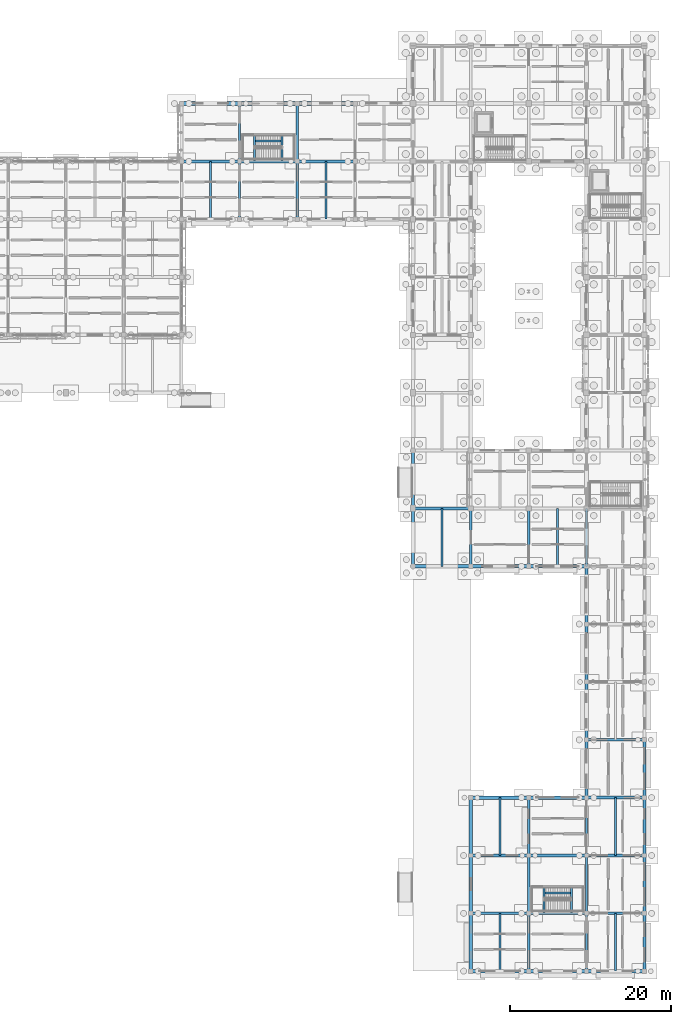
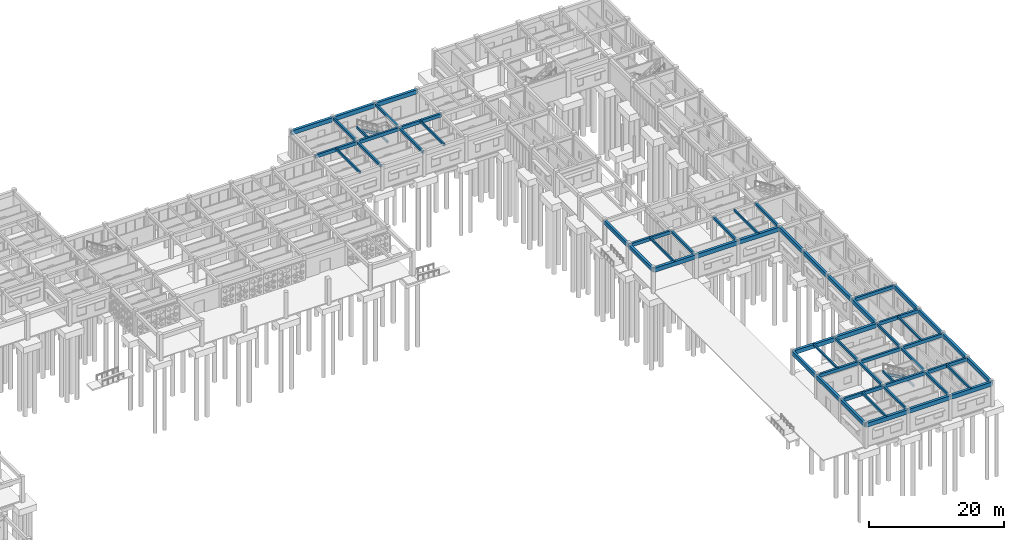
# One storey, part 36 of 111: 63 beams.
"""IFC4 building model written with IfcOpenShell, lengths in metres."""

from ifc_helpers import new_model, si_unit, direction, frame, origin, origin_2d, place, context, subcontext, project, spatial, rectangle, extrude, material, material_profile, profile_set, type_object, element, save


model = new_model("IFC4")

# Units and contexts
model_context = context("Model", 3, precision=1e-05, world=origin(), true_north=direction((0.0, 1.0)))
body_context = subcontext(model_context, "Body", "Model", "MODEL_VIEW")
ifc_project = project(units=[si_unit("LENGTHUNIT", "METRE"), si_unit("AREAUNIT", "SQUARE_METRE"), si_unit("VOLUMEUNIT", "CUBIC_METRE"), si_unit("PLANEANGLEUNIT", "RADIAN"), si_unit("MASSUNIT", "GRAM", prefix="KILO")], contexts=[model_context])

# Site, building, storey
site_placement = place(None, origin())
site = spatial("IfcSite", under=ifc_project, at=site_placement, CompositionType="ELEMENT")
building_placement = place(site_placement, origin())
building = spatial("IfcBuilding", under=site, at=building_placement, Name="Aldebral Square Health Centre", CompositionType="ELEMENT")
storey_placement = place(building_placement, origin())
storey = spatial("IfcBuildingStorey", under=building, at=storey_placement, Name="L00", CompositionType="ELEMENT", Elevation=0.0)

# Beams
ifc_material = material(Name="Concrete C40/50", Category="concrete")
ifc_material_profile_1 = material_profile(ifc_material, rectangle(XDim=0.35009765625, YDim=0.60009765625, at=origin_2d()), Name="RC 350x600")
ifc_profile_set_1 = profile_set([ifc_material_profile_1], Name="Concrete C40/50")
beam_type_1 = type_object("IfcBeamType", Name="BM-B2", PredefinedType="BEAM", material=ifc_profile_set_1)
for number, where, z_axis, x_axis, name in (
    (1, (108.0, 100.800048828125, 3.919921875), (1.0, 0.0, 0.0), (0.0, 1.0, 0.0), "L00 X-beam 16-17/G15"),
    (2, (115.199951171875, 100.800048828125, 3.919921875), (1.0, 0.0, 0.0), (0.0, 1.0, 0.0), "L00 X-beam 17-18/G15"),
):
    element("IfcBeam", number, at=place(storey_placement, frame(where, z_axis=z_axis, x_axis=x_axis)), inside=storey, type_object=beam_type_1, Name=name, PredefinedType="BEAM", context=body_context, shape_type="SweptSolid", body=[
        extrude(rectangle(XDim=0.35009765625, YDim=0.60009765625, at=origin_2d()), origin(), (0.0, 0.0, 1.0), 7.199951171875),
    ])
beam_1_placement = place(storey_placement, frame((122.39990234375, 100.800048828125, 3.919921875), z_axis=(1.0, 0.0, 0.0), x_axis=(0.0, 1.0, 0.0)))
element("IfcBeam", 3, at=beam_1_placement, inside=storey, type_object=beam_type_1, Name="L00 X-beam 18-19/G15", PredefinedType="BEAM", context=body_context, shape_type="SweptSolid", body=[
    extrude(rectangle(XDim=0.35009765625, YDim=0.60009765625, at=origin_2d()), origin(), (0.0, 0.0, 1.0), 7.2001953125),
])
for number, where, z_axis, x_axis, name in (
    (4, (136.800048828125, 57.60009765625, 3.919921875), (1.0, 0.0, 0.0), (0.0, 1.0, 0.0), "L00 X-beam 20-21/G9"),
    (5, (144.0, 7.199951171875, 3.919921875), (1.0, 0.0, 0.0), (0.0, 1.0, 0.0), "L00 X-beam 21-22/G2"),
    (6, (144.0, 14.39990234375, 3.919921875), (1.0, 0.0, 0.0), (0.0, 1.0, 0.0), "L00 X-beam 21-22/G3"),
    (7, (151.199951171875, 7.199951171875, 3.919921875), (1.0, 0.0, 0.0), (0.0, 1.0, 0.0), "L00 X-beam 22-23/G2"),
    (8, (151.199951171875, 14.39990234375, 3.919921875), (1.0, 0.0, 0.0), (0.0, 1.0, 0.0), "L00 X-beam 22-23/G3"),
):
    element("IfcBeam", number, at=place(storey_placement, frame(where, z_axis=z_axis, x_axis=x_axis)), inside=storey, type_object=beam_type_1, Name=name, PredefinedType="BEAM", context=body_context, shape_type="SweptSolid", body=[
        extrude(rectangle(XDim=0.35009765625, YDim=0.60009765625, at=origin_2d()), origin(), (0.0, 0.0, 1.0), 7.199951171875),
    ])
for number, where, z_axis, x_axis, name in (
    (9, (158.39990234375, 7.199951171875, 3.919921875), (1.0, 0.0, 0.0), (0.0, 1.0, 0.0), "L00 X-beam 23-24/G2"),
    (10, (158.39990234375, 14.39990234375, 3.919921875), (1.0, 0.0, 0.0), (0.0, 1.0, 0.0), "L00 X-beam 23-24/G3"),
    (11, (158.39990234375, 21.60009765625, 3.919921875), (1.0, 0.0, 0.0), (0.0, 1.0, 0.0), "L00 X-beam 23-24/G4"),
    (12, (158.39990234375, 28.800048828125, 3.919921875), (1.0, 0.0, 0.0), (0.0, 1.0, 0.0), "L00 X-beam 23-24/G5"),
):
    element("IfcBeam", number, at=place(storey_placement, frame(where, z_axis=z_axis, x_axis=x_axis)), inside=storey, type_object=beam_type_1, Name=name, PredefinedType="BEAM", context=body_context, shape_type="SweptSolid", body=[
        extrude(rectangle(XDim=0.35009765625, YDim=0.60009765625, at=origin_2d()), origin(), (0.0, 0.0, 1.0), 7.2001953125),
    ])
ifc_material_profile_2 = material_profile(ifc_material, rectangle(XDim=0.300048828125, YDim=0.449951171875, at=origin_2d()), Name="RC 300x450")
ifc_profile_set_2 = profile_set([ifc_material_profile_2], Name="Concrete C40/50")
beam_type_2 = type_object("IfcBeamType", Name="BM-B5", PredefinedType="BEAM", material=ifc_profile_set_2)
for number, where, z_axis, x_axis, name in (
    (13, (115.199951171875, 93.60009765625, 3.9951171875), (0.0, 1.0, 0.0), (-1.0, 0.0, 0.0), "L00 Y-beam G17/14-15"),
    (14, (115.199951171875, 100.800048828125, 3.9951171875), (0.0, 1.0, 0.0), (-1.0, 0.0, 0.0), "L00 Y-beam G17/15-16"),
    (15, (122.39990234375, 93.60009765625, 3.9951171875), (0.0, 1.0, 0.0), (-1.0, 0.0, 0.0), "L00 Y-beam G18/14-15"),
    (16, (122.39990234375, 100.800048828125, 3.9951171875), (0.0, 1.0, 0.0), (-1.0, 0.0, 0.0), "L00 Y-beam G18/15-16"),
):
    element("IfcBeam", number, at=place(storey_placement, frame(where, z_axis=z_axis, x_axis=x_axis)), inside=storey, type_object=beam_type_2, Name=name, PredefinedType="BEAM", context=body_context, shape_type="SweptSolid", body=[
        extrude(rectangle(XDim=0.300048828125, YDim=0.449951171875, at=origin_2d()), origin(), (0.0, 0.0, 1.0), 7.199951171875),
    ])
beam_2_placement = place(storey_placement, frame((144.0, 50.39990234375, 3.9951171875), z_axis=(0.0, 1.0, 0.0), x_axis=(-1.0, 0.0, 0.0)))
element("IfcBeam", 17, at=beam_2_placement, inside=storey, type_object=beam_type_2, Name="L00 Y-beam G21/8-9", PredefinedType="BEAM", context=body_context, shape_type="SweptSolid", body=[
    extrude(rectangle(XDim=0.300048828125, YDim=0.449951171875, at=origin_2d()), origin(), (0.0, 0.0, 1.0), 7.2001953125),
])
for number, where, z_axis, x_axis, name in (
    (18, (151.199951171875, 0.0, 3.9951171875), (0.0, 1.0, 0.0), (-1.0, 0.0, 0.0), "L00 Y-beam G22/1-2"),
    (19, (151.199951171875, 7.199951171875, 3.9951171875), (0.0, 1.0, 0.0), (-1.0, 0.0, 0.0), "L00 Y-beam G22/2-3"),
):
    element("IfcBeam", number, at=place(storey_placement, frame(where, z_axis=z_axis, x_axis=x_axis)), inside=storey, type_object=beam_type_2, Name=name, PredefinedType="BEAM", context=body_context, shape_type="SweptSolid", body=[
        extrude(rectangle(XDim=0.300048828125, YDim=0.449951171875, at=origin_2d()), origin(), (0.0, 0.0, 1.0), 7.199951171875),
    ])
for number, where, z_axis, x_axis, name in (
    (20, (151.199951171875, 14.39990234375, 3.9951171875), (0.0, 1.0, 0.0), (-1.0, 0.0, 0.0), "L00 Y-beam G22/3-4"),
    (21, (151.199951171875, 50.39990234375, 3.9951171875), (0.0, 1.0, 0.0), (-1.0, 0.0, 0.0), "L00 Y-beam G22/8-9"),
):
    element("IfcBeam", number, at=place(storey_placement, frame(where, z_axis=z_axis, x_axis=x_axis)), inside=storey, type_object=beam_type_2, Name=name, PredefinedType="BEAM", context=body_context, shape_type="SweptSolid", body=[
        extrude(rectangle(XDim=0.300048828125, YDim=0.449951171875, at=origin_2d()), origin(), (0.0, 0.0, 1.0), 7.2001953125),
    ])
for number, where, z_axis, x_axis, name in (
    (22, (158.39990234375, 0.0, 3.9951171875), (0.0, 1.0, 0.0), (-1.0, 0.0, 0.0), "L00 Y-beam G23/1-2"),
    (23, (158.39990234375, 7.199951171875, 3.9951171875), (0.0, 1.0, 0.0), (-1.0, 0.0, 0.0), "L00 Y-beam G23/2-3"),
):
    element("IfcBeam", number, at=place(storey_placement, frame(where, z_axis=z_axis, x_axis=x_axis)), inside=storey, type_object=beam_type_2, Name=name, PredefinedType="BEAM", context=body_context, shape_type="SweptSolid", body=[
        extrude(rectangle(XDim=0.300048828125, YDim=0.449951171875, at=origin_2d()), origin(), (0.0, 0.0, 1.0), 7.199951171875),
    ])
for number, where, z_axis, x_axis, name in (
    (24, (158.39990234375, 14.39990234375, 3.9951171875), (0.0, 1.0, 0.0), (-1.0, 0.0, 0.0), "L00 Y-beam G23/3-4"),
    (25, (158.39990234375, 50.39990234375, 3.9951171875), (0.0, 1.0, 0.0), (-1.0, 0.0, 0.0), "L00 Y-beam G23/8-9"),
):
    element("IfcBeam", number, at=place(storey_placement, frame(where, z_axis=z_axis, x_axis=x_axis)), inside=storey, type_object=beam_type_2, Name=name, PredefinedType="BEAM", context=body_context, shape_type="SweptSolid", body=[
        extrude(rectangle(XDim=0.300048828125, YDim=0.449951171875, at=origin_2d()), origin(), (0.0, 0.0, 1.0), 7.2001953125),
    ])
ifc_material_profile_3 = material_profile(ifc_material, rectangle(XDim=0.25, YDim=0.39990234375, at=origin_2d()), Name="RC 250x400")
ifc_profile_set_3 = profile_set([ifc_material_profile_3], Name="Concrete C40/50")
beam_type_3 = type_object("IfcBeamType", Name="BM-B6", PredefinedType="JOIST", material=ifc_profile_set_3)
for number, where, z_axis, x_axis, name in (
    (26, (111.60009765625, 93.60009765625, 4.02001953125), (0.0, 1.0, 0.0), (-1.0, 0.0, 0.0), "L00 secondary rib 16.14"),
    (27, (126.0, 93.60009765625, 4.02001953125), (0.0, 1.0, 0.0), (-1.0, 0.0, 0.0), "L00 secondary rib 18.14"),
):
    element("IfcBeam", number, at=place(storey_placement, frame(where, z_axis=z_axis, x_axis=x_axis)), inside=storey, type_object=beam_type_3, Name=name, PredefinedType="JOIST", context=body_context, shape_type="SweptSolid", body=[
        extrude(rectangle(XDim=0.25, YDim=0.39990234375, at=origin_2d()), origin(), (0.0, 0.0, 1.0), 7.199951171875),
    ])
beam_3_placement = place(storey_placement, frame((140.39990234375, 50.39990234375, 4.02001953125), z_axis=(0.0, 1.0, 0.0), x_axis=(-1.0, 0.0, 0.0)))
element("IfcBeam", 28, at=beam_3_placement, inside=storey, type_object=beam_type_3, Name="L00 secondary rib 20.8", PredefinedType="JOIST", context=body_context, shape_type="SweptSolid", body=[
    extrude(rectangle(XDim=0.25, YDim=0.39990234375, at=origin_2d()), origin(), (0.0, 0.0, 1.0), 7.2001953125),
])
beam_4_placement = place(storey_placement, frame((147.60009765625, 0.0, 4.02001953125), z_axis=(0.0, 1.0, 0.0), x_axis=(-1.0, 0.0, 0.0)))
element("IfcBeam", 29, at=beam_4_placement, inside=storey, type_object=beam_type_3, Name="L00 secondary rib 21.1", PredefinedType="JOIST", context=body_context, shape_type="SweptSolid", body=[
    extrude(rectangle(XDim=0.25, YDim=0.39990234375, at=origin_2d()), origin(), (0.0, 0.0, 1.0), 7.199951171875),
])
for number, where, z_axis, x_axis, name in (
    (30, (147.60009765625, 14.39990234375, 4.02001953125), (0.0, 1.0, 0.0), (-1.0, 0.0, 0.0), "L00 secondary rib 21.3"),
    (31, (154.800048828125, 50.39990234375, 4.02001953125), (0.0, 1.0, 0.0), (-1.0, 0.0, 0.0), "L00 secondary rib 22.8"),
):
    element("IfcBeam", number, at=place(storey_placement, frame(where, z_axis=z_axis, x_axis=x_axis)), inside=storey, type_object=beam_type_3, Name=name, PredefinedType="JOIST", context=body_context, shape_type="SweptSolid", body=[
        extrude(rectangle(XDim=0.25, YDim=0.39990234375, at=origin_2d()), origin(), (0.0, 0.0, 1.0), 7.2001953125),
    ])
beam_5_placement = place(storey_placement, frame((162.0, 0.0, 4.02001953125), z_axis=(0.0, 1.0, 0.0), x_axis=(-1.0, 0.0, 0.0)))
element("IfcBeam", 32, at=beam_5_placement, inside=storey, type_object=beam_type_3, Name="L00 secondary rib 23.1", PredefinedType="JOIST", context=body_context, shape_type="SweptSolid", body=[
    extrude(rectangle(XDim=0.25, YDim=0.39990234375, at=origin_2d()), origin(), (0.0, 0.0, 1.0), 7.199951171875),
])
beam_6_placement = place(storey_placement, frame((162.0, 14.39990234375, 4.02001953125), z_axis=(0.0, 1.0, 0.0), x_axis=(-1.0, 0.0, 0.0)))
element("IfcBeam", 33, at=beam_6_placement, inside=storey, type_object=beam_type_3, Name="L00 secondary rib 23.3", PredefinedType="JOIST", context=body_context, shape_type="SweptSolid", body=[
    extrude(rectangle(XDim=0.25, YDim=0.39990234375, at=origin_2d()), origin(), (0.0, 0.0, 1.0), 7.2001953125),
])
for number, where, z_axis, x_axis, name in (
    (34, (156.52001953125, 7.330078125, 2.050048828125), (0.0, 1.0, 0.0), (-1.0, 0.0, 0.0), "L00 WS-S8 half-landing beam"),
    (35, (153.080078125, 7.330078125, 4.02001953125), (0.0, 1.0, 0.0), (-1.0, 0.0, 0.0), "L00 WS-S8 upper landing beam"),
):
    element("IfcBeam", number, at=place(storey_placement, frame(where, z_axis=z_axis, x_axis=x_axis)), inside=storey, type_object=beam_type_3, Name=name, PredefinedType="JOIST", context=body_context, shape_type="SweptSolid", body=[
        extrude(rectangle(XDim=0.25, YDim=0.39990234375, at=origin_2d()), origin(), (0.0, 0.0, 1.0), 3.219970703125),
    ])
beam_7_placement = place(storey_placement, frame((156.52001953125, 9.739990234375, 2.050048828125), z_axis=(-0.867776584178, 0.0, 0.496954525034), x_axis=(0.0, -1.0, 0.0)))
element("IfcBeam", 36, at=beam_7_placement, inside=storey, type_object=beam_type_3, Name="L00 WS-S8 flight stringer beam", PredefinedType="JOIST", context=body_context, shape_type="SweptSolid", body=[
    extrude(rectangle(XDim=0.25, YDim=0.39990234375, at=origin_2d()), origin(), (0.0, 0.0, 1.0), 3.964111328125),
])
for number, where, z_axis, x_axis, name in (
    (37, (120.52001953125, 100.929931640625, 2.050048828125), (0.0, 1.0, 0.0), (-1.0, 0.0, 0.0), "L00 WS-S10 half-landing beam"),
    (38, (117.080078125, 100.929931640625, 4.02001953125), (0.0, 1.0, 0.0), (-1.0, 0.0, 0.0), "L00 WS-S10 upper landing beam"),
):
    element("IfcBeam", number, at=place(storey_placement, frame(where, z_axis=z_axis, x_axis=x_axis)), inside=storey, type_object=beam_type_3, Name=name, PredefinedType="JOIST", context=body_context, shape_type="SweptSolid", body=[
        extrude(rectangle(XDim=0.25, YDim=0.39990234375, at=origin_2d()), origin(), (0.0, 0.0, 1.0), 3.219970703125),
    ])
beam_8_placement = place(storey_placement, frame((120.52001953125, 103.340087890625, 2.050048828125), z_axis=(-0.867776584178, 0.0, 0.496954525034), x_axis=(0.0, -1.0, 0.0)))
element("IfcBeam", 39, at=beam_8_placement, inside=storey, type_object=beam_type_3, Name="L00 WS-S10 flight stringer beam", PredefinedType="JOIST", context=body_context, shape_type="SweptSolid", body=[
    extrude(rectangle(XDim=0.25, YDim=0.39990234375, at=origin_2d()), origin(), (0.0, 0.0, 1.0), 3.964111328125),
])
ifc_material_profile_4 = material_profile(ifc_material, rectangle(XDim=0.449951171875, YDim=0.75, at=origin_2d()), Name="RC 450x750")
ifc_profile_set_4 = profile_set([ifc_material_profile_4], Name="Concrete C40/50")
beam_type_4 = type_object("IfcBeamType", Name="BM-G2", PredefinedType="T_BEAM", material=ifc_profile_set_4)
for number, where, z_axis, x_axis, name in (
    (40, (108.0, 108.0, 3.844970703125), (1.0, 0.0, 0.0), (0.0, 1.0, 0.0), "L00 X-beam 16-17/G16"),
    (41, (115.199951171875, 108.0, 3.844970703125), (1.0, 0.0, 0.0), (0.0, 1.0, 0.0), "L00 X-beam 17-18/G16"),
):
    element("IfcBeam", number, at=place(storey_placement, frame(where, z_axis=z_axis, x_axis=x_axis)), inside=storey, type_object=beam_type_4, Name=name, PredefinedType="T_BEAM", context=body_context, shape_type="SweptSolid", body=[
        extrude(rectangle(XDim=0.449951171875, YDim=0.75, at=origin_2d()), origin(), (0.0, 0.0, 1.0), 7.199951171875),
    ])
beam_9_placement = place(storey_placement, frame((122.39990234375, 108.0, 3.844970703125), z_axis=(1.0, 0.0, 0.0), x_axis=(0.0, 1.0, 0.0)))
element("IfcBeam", 42, at=beam_9_placement, inside=storey, type_object=beam_type_4, Name="L00 X-beam 18-19/G16", PredefinedType="T_BEAM", context=body_context, shape_type="SweptSolid", body=[
    extrude(rectangle(XDim=0.449951171875, YDim=0.75, at=origin_2d()), origin(), (0.0, 0.0, 1.0), 7.2001953125),
])
for number, where, z_axis, x_axis, name in (
    (43, (136.800048828125, 50.39990234375, 3.844970703125), (1.0, 0.0, 0.0), (0.0, 1.0, 0.0), "L00 X-beam 20-21/G8"),
    (44, (144.0, 0.0, 3.844970703125), (1.0, 0.0, 0.0), (0.0, 1.0, 0.0), "L00 X-beam 21-22/G1"),
    (45, (144.0, 21.60009765625, 3.844970703125), (1.0, 0.0, 0.0), (0.0, 1.0, 0.0), "L00 X-beam 21-22/G4"),
    (46, (144.0, 50.39990234375, 3.844970703125), (1.0, 0.0, 0.0), (0.0, 1.0, 0.0), "L00 X-beam 21-22/G8"),
    (47, (151.199951171875, 0.0, 3.844970703125), (1.0, 0.0, 0.0), (0.0, 1.0, 0.0), "L00 X-beam 22-23/G1"),
    (48, (151.199951171875, 21.60009765625, 3.844970703125), (1.0, 0.0, 0.0), (0.0, 1.0, 0.0), "L00 X-beam 22-23/G4"),
    (49, (151.199951171875, 50.39990234375, 3.844970703125), (1.0, 0.0, 0.0), (0.0, 1.0, 0.0), "L00 X-beam 22-23/G8"),
):
    element("IfcBeam", number, at=place(storey_placement, frame(where, z_axis=z_axis, x_axis=x_axis)), inside=storey, type_object=beam_type_4, Name=name, PredefinedType="T_BEAM", context=body_context, shape_type="SweptSolid", body=[
        extrude(rectangle(XDim=0.449951171875, YDim=0.75, at=origin_2d()), origin(), (0.0, 0.0, 1.0), 7.199951171875),
    ])
beam_10_placement = place(storey_placement, frame((158.39990234375, 0.0, 3.844970703125), z_axis=(1.0, 0.0, 0.0), x_axis=(0.0, 1.0, 0.0)))
element("IfcBeam", 50, at=beam_10_placement, inside=storey, type_object=beam_type_4, Name="L00 X-beam 23-24/G1", PredefinedType="T_BEAM", context=body_context, shape_type="SweptSolid", body=[
    extrude(rectangle(XDim=0.449951171875, YDim=0.75, at=origin_2d()), origin(), (0.0, 0.0, 1.0), 7.2001953125),
])
ifc_material_profile_5 = material_profile(ifc_material, rectangle(XDim=0.39990234375, YDim=0.699951171875, at=origin_2d()), Name="RC 400x700")
ifc_profile_set_5 = profile_set([ifc_material_profile_5], Name="Concrete C40/50")
beam_type_5 = type_object("IfcBeamType", Name="BM-G3", PredefinedType="T_BEAM", material=ifc_profile_set_5)
beam_11_placement = place(storey_placement, frame((136.800048828125, 50.39990234375, 3.8701171875), z_axis=(0.0, 1.0, 0.0), x_axis=(-1.0, 0.0, 0.0)))
element("IfcBeam", 51, at=beam_11_placement, inside=storey, type_object=beam_type_5, Name="L00 Y-beam G20/8-9", PredefinedType="T_BEAM", context=body_context, shape_type="SweptSolid", body=[
    extrude(rectangle(XDim=0.39990234375, YDim=0.699951171875, at=origin_2d()), origin(), (0.0, 0.0, 1.0), 7.2001953125),
])
for number, where, z_axis, x_axis, name in (
    (52, (136.800048828125, 57.60009765625, 3.8701171875), (0.0, 1.0, 0.0), (-1.0, 0.0, 0.0), "L00 Y-beam G20/9-10"),
    (53, (144.0, 0.0, 3.8701171875), (0.0, 1.0, 0.0), (-1.0, 0.0, 0.0), "L00 Y-beam G21/1-2"),
    (54, (144.0, 7.199951171875, 3.8701171875), (0.0, 1.0, 0.0), (-1.0, 0.0, 0.0), "L00 Y-beam G21/2-3"),
):
    element("IfcBeam", number, at=place(storey_placement, frame(where, z_axis=z_axis, x_axis=x_axis)), inside=storey, type_object=beam_type_5, Name=name, PredefinedType="T_BEAM", context=body_context, shape_type="SweptSolid", body=[
        extrude(rectangle(XDim=0.39990234375, YDim=0.699951171875, at=origin_2d()), origin(), (0.0, 0.0, 1.0), 7.199951171875),
    ])
beam_12_placement = place(storey_placement, frame((144.0, 14.39990234375, 3.8701171875), z_axis=(0.0, 1.0, 0.0), x_axis=(-1.0, 0.0, 0.0)))
element("IfcBeam", 55, at=beam_12_placement, inside=storey, type_object=beam_type_5, Name="L00 Y-beam G21/3-4", PredefinedType="T_BEAM", context=body_context, shape_type="SweptSolid", body=[
    extrude(rectangle(XDim=0.39990234375, YDim=0.699951171875, at=origin_2d()), origin(), (0.0, 0.0, 1.0), 7.2001953125),
])
for number, where, z_axis, x_axis, name in (
    (56, (158.39990234375, 21.60009765625, 3.8701171875), (0.0, 1.0, 0.0), (-1.0, 0.0, 0.0), "L00 Y-beam G23/4-5"),
    (57, (158.39990234375, 28.800048828125, 3.8701171875), (0.0, 1.0, 0.0), (-1.0, 0.0, 0.0), "L00 Y-beam G23/5-6"),
    (58, (158.39990234375, 36.0, 3.8701171875), (0.0, 1.0, 0.0), (-1.0, 0.0, 0.0), "L00 Y-beam G23/6-7"),
    (59, (158.39990234375, 43.199951171875, 3.8701171875), (0.0, 1.0, 0.0), (-1.0, 0.0, 0.0), "L00 Y-beam G23/7-8"),
    (60, (165.60009765625, 0.0, 3.8701171875), (0.0, 1.0, 0.0), (-1.0, 0.0, 0.0), "L00 Y-beam G24/1-2"),
    (61, (165.60009765625, 7.199951171875, 3.8701171875), (0.0, 1.0, 0.0), (-1.0, 0.0, 0.0), "L00 Y-beam G24/2-3"),
):
    element("IfcBeam", number, at=place(storey_placement, frame(where, z_axis=z_axis, x_axis=x_axis)), inside=storey, type_object=beam_type_5, Name=name, PredefinedType="T_BEAM", context=body_context, shape_type="SweptSolid", body=[
        extrude(rectangle(XDim=0.39990234375, YDim=0.699951171875, at=origin_2d()), origin(), (0.0, 0.0, 1.0), 7.199951171875),
    ])
beam_13_placement = place(storey_placement, frame((165.60009765625, 14.39990234375, 3.8701171875), z_axis=(0.0, 1.0, 0.0), x_axis=(-1.0, 0.0, 0.0)))
element("IfcBeam", 62, at=beam_13_placement, inside=storey, type_object=beam_type_5, Name="L00 Y-beam G24/3-4", PredefinedType="T_BEAM", context=body_context, shape_type="SweptSolid", body=[
    extrude(rectangle(XDim=0.39990234375, YDim=0.699951171875, at=origin_2d()), origin(), (0.0, 0.0, 1.0), 7.2001953125),
])
beam_14_placement = place(storey_placement, frame((165.60009765625, 21.60009765625, 3.8701171875), z_axis=(0.0, 1.0, 0.0), x_axis=(-1.0, 0.0, 0.0)))
element("IfcBeam", 63, at=beam_14_placement, inside=storey, type_object=beam_type_5, Name="L00 Y-beam G24/4-5", PredefinedType="T_BEAM", context=body_context, shape_type="SweptSolid", body=[
    extrude(rectangle(XDim=0.39990234375, YDim=0.699951171875, at=origin_2d()), origin(), (0.0, 0.0, 1.0), 7.199951171875),
])

save(model, "model.ifc")
